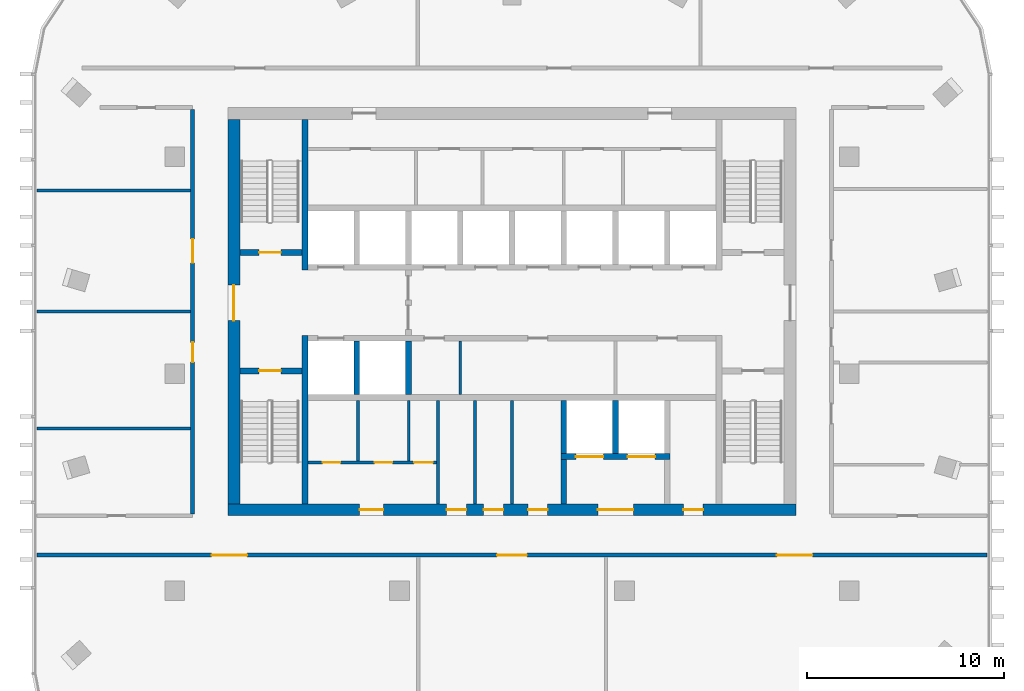
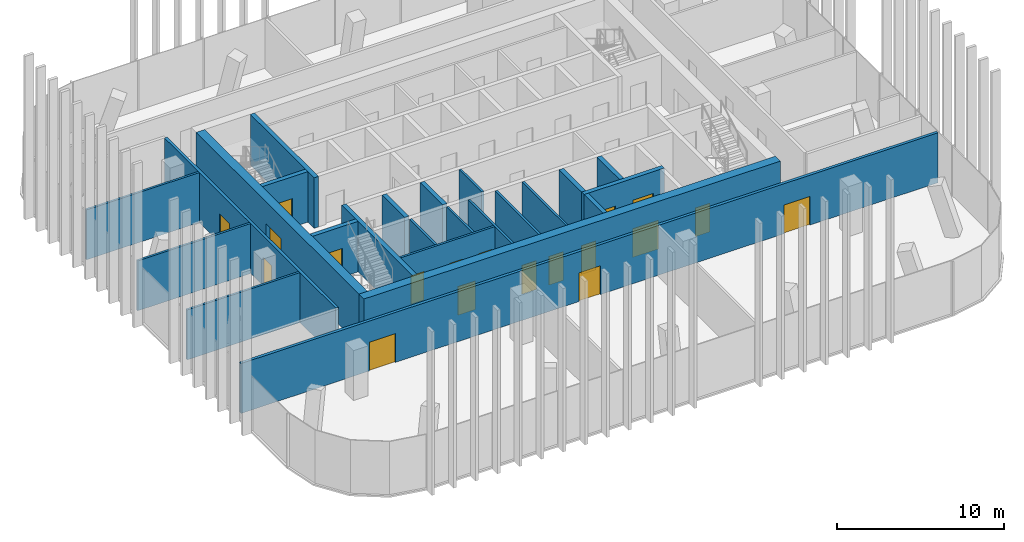
# One storey, part 6 of 13: 24 walls, 19 doors, 19 openings.
"""IFC4 building model written with IfcOpenShell, lengths in metres."""

from ifc_helpers import new_model, si_unit, direction, frame, frame_2d, origin, place, context, subcontext, project, spatial, rectangle, extrude, material, layer, layer_set, type_object, element, fill, save


model = new_model("IFC4")

# Units and contexts
model_context = context("Model", 3, precision=1e-05, world=origin(), true_north=direction((0.0, 1.0)))
body_context = subcontext(model_context, "Body", "Model", "MODEL_VIEW")
ifc_project = project(units=[si_unit("LENGTHUNIT", "METRE"), si_unit("AREAUNIT", "SQUARE_METRE"), si_unit("VOLUMEUNIT", "CUBIC_METRE"), si_unit("PLANEANGLEUNIT", "RADIAN"), si_unit("MASSUNIT", "GRAM", prefix="KILO")], contexts=[model_context])

# Site, building, storey
site_placement = place(None, origin())
site = spatial("IfcSite", under=ifc_project, at=site_placement, CompositionType="ELEMENT")
building_placement = place(site_placement, origin())
building = spatial("IfcBuilding", under=site, at=building_placement, Name="Mopane Tessera Tower", CompositionType="ELEMENT")
storey_placement = place(building_placement, frame((0.0, 0.0, 345.39990234375)))
storey = spatial("IfcBuildingStorey", under=building, at=storey_placement, Name="L75", CompositionType="ELEMENT", Elevation=345.39990234375)

# Wall, openings, doors
ifc_material_1 = material(Name="Fire-rated gypsum board partition")
ifc_layer_1 = layer(ifc_material_1, 0.14990234375)
ifc_layer_set_1 = layer_set([ifc_layer_1], Name="Fire-rated gypsum board partition")
wall_type_1 = type_object("IfcWallType", Name="Core room partition 150 mm", PredefinedType="PARTITIONING", material=ifc_layer_set_1)
wall_1_placement = place(storey_placement, frame((-10.35009765625, -4.5, 0.0), z_axis=(0.0, 0.0, 1.0), x_axis=(1.0, 0.0, 0.0)))
wall_1 = element("IfcWall", 1, at=wall_1_placement, inside=storey, type_object=wall_type_1, Name="L75 WC partition", PredefinedType="PARTITIONING", context=body_context, shape_type="SweptSolid", body=[
    extrude(rectangle(XDim=6.525146484375, YDim=0.14990234375, at=frame_2d((3.2626953125, 0.0))), origin(), (0.0, 0.0, 1.0), 3.7001953125),
])
opening_1_placement = place(wall_1_placement, frame((0.75, 0.0, 0.0)))
opening_1 = element("IfcOpeningElement", 2, at=opening_1_placement, cuts=wall_1, Name="Opening WD1", PredefinedType="OPENING", context=body_context, shape_type="SweptSolid", body=[
    extrude(rectangle(XDim=0.89990234375, YDim=2.10009765625, at=frame_2d((0.449951171875, 1.050048828125))), frame((0.0, 0.0869140625, 0.0), z_axis=(0.0, -1.0, 0.0), x_axis=(1.0, 0.0, 0.0)), (0.0, 0.0, 1.0), 0.173828125),
])
opening_2_placement = place(wall_1_placement, frame((3.382568359375, 0.0, 0.0)))
opening_2 = element("IfcOpeningElement", 3, at=opening_2_placement, cuts=wall_1, Name="Opening WD1", PredefinedType="OPENING", context=body_context, shape_type="SweptSolid", body=[
    extrude(rectangle(XDim=0.89990234375, YDim=2.10009765625, at=frame_2d((0.449951171875, 1.050048828125))), frame((0.0, 0.0869140625, 0.0), z_axis=(0.0, -1.0, 0.0), x_axis=(1.0, 0.0, 0.0)), (0.0, 0.0, 1.0), 0.173828125),
])
opening_3_placement = place(wall_1_placement, frame((5.382568359375, 0.0, 0.0)))
opening_3 = element("IfcOpeningElement", 4, at=opening_3_placement, cuts=wall_1, Name="Opening WD2", PredefinedType="OPENING", context=body_context, shape_type="SweptSolid", body=[
    extrude(rectangle(XDim=0.949951171875, YDim=2.10009765625, at=frame_2d((0.47509765625, 1.050048828125))), frame((0.0, 0.0869140625, 0.0), z_axis=(0.0, -1.0, 0.0), x_axis=(1.0, 0.0, 0.0)), (0.0, 0.0, 1.0), 0.173828125),
])
ifc_material_2 = material(Name="Timber door", Category="wood")
door_type_1 = type_object("IfcDoorType", Name="Accessible WC door 950 x 2100", OperationType="SINGLE_SWING_LEFT", PredefinedType="DOOR", material=ifc_material_2)
door_1_placement = place(opening_3_placement, origin())
door_1 = element("IfcDoor", 5, at=door_1_placement, inside=storey, type_object=door_type_1, Name="L75 Accessible WC door", OperationType="SINGLE_SWING_LEFT", OverallHeight=2.10009765625, OverallWidth=0.949951171875, PredefinedType="DOOR", context=body_context, shape_type="SweptSolid", body=[
    extrude(rectangle(XDim=0.949951171875, YDim=2.10009765625, at=frame_2d((0.47509765625, 1.050048828125))), frame((0.0, 0.02490234375, 0.0), z_axis=(0.0, -1.0, 0.0), x_axis=(1.0, 0.0, 0.0)), (0.0, 0.0, 1.0), 0.050048828125),
])
fill(opening_3, door_1)
ifc_material_3 = material(Name="Timber door", Category="wood")
door_type_2 = type_object("IfcDoorType", Name="WC cubicle door 900 x 2100", OperationType="SINGLE_SWING_LEFT", PredefinedType="DOOR", material=ifc_material_3)
door_2_placement = place(opening_1_placement, origin())
door_2 = element("IfcDoor", 6, at=door_2_placement, inside=storey, type_object=door_type_2, Name="L75 Men's WC door", OperationType="SINGLE_SWING_LEFT", OverallHeight=2.10009765625, OverallWidth=0.89990234375, PredefinedType="DOOR", context=body_context, shape_type="SweptSolid", body=[
    extrude(rectangle(XDim=0.89990234375, YDim=2.10009765625, at=frame_2d((0.449951171875, 1.050048828125))), frame((0.0, 0.02490234375, 0.0), z_axis=(0.0, -1.0, 0.0), x_axis=(1.0, 0.0, 0.0)), (0.0, 0.0, 1.0), 0.050048828125),
])
fill(opening_1, door_2)
door_3_placement = place(opening_2_placement, origin())
door_3 = element("IfcDoor", 7, at=door_3_placement, inside=storey, type_object=door_type_2, Name="L75 Women's WC door", OperationType="SINGLE_SWING_LEFT", OverallHeight=2.10009765625, OverallWidth=0.89990234375, PredefinedType="DOOR", context=body_context, shape_type="SweptSolid", body=[
    extrude(rectangle(XDim=0.89990234375, YDim=2.10009765625, at=frame_2d((0.449951171875, 1.050048828125))), frame((0.0, 0.02490234375, 0.0), z_axis=(0.0, -1.0, 0.0), x_axis=(1.0, 0.0, 0.0)), (0.0, 0.0, 1.0), 0.050048828125),
])
fill(opening_2, door_3)

# Walls
for number, where, z_axis, x_axis, name in (
    (8, (-7.800048828125, -4.425048828125, 0.0), (0.0, 0.0, 1.0), (0.0, 1.0, 0.0), "L75 WC partition"),
    (9, (-5.235107421875, -4.425048828125, 0.0), (0.0, 0.0, 1.0), (0.0, 1.0, 0.0), "L75 WC partition"),
):
    element("IfcWall", number, at=place(storey_placement, frame(where, z_axis=z_axis, x_axis=x_axis)), inside=storey, type_object=wall_type_1, Name=name, PredefinedType="PARTITIONING", context=body_context, shape_type="SweptSolid", body=[
        extrude(rectangle(XDim=3.074951171875, YDim=0.14990234375, at=frame_2d((1.53759765625, 0.0))), origin(), (0.0, 0.0, 1.0), 3.7001953125),
    ])
for number, where, z_axis, x_axis, name in (
    (10, (-3.75, -6.60009765625, 0.0), (0.0, 0.0, 1.0), (0.0, 1.0, 0.0), "L75 Room partition"),
    (11, (-1.875, -6.60009765625, 0.0), (0.0, 0.0, 1.0), (0.0, 1.0, 0.0), "L75 Room partition"),
    (12, (0.0, -6.60009765625, 0.0), (0.0, 0.0, 1.0), (0.0, 1.0, 0.0), "L75 Room partition"),
):
    element("IfcWall", number, at=place(storey_placement, frame(where, z_axis=z_axis, x_axis=x_axis)), inside=storey, type_object=wall_type_1, Name=name, PredefinedType="PARTITIONING", context=body_context, shape_type="SweptSolid", body=[
        extrude(rectangle(XDim=5.25, YDim=0.14990234375, at=frame_2d((2.625, 0.0))), origin(), (0.0, 0.0, 1.0), 3.7001953125),
    ])
wall_2_placement = place(storey_placement, frame((-2.625, -1.050048828125, 0.0), z_axis=(0.0, 0.0, 1.0), x_axis=(0.0, 1.0, 0.0)))
element("IfcWall", 13, at=wall_2_placement, inside=storey, type_object=wall_type_1, Name="L75 Room partition", PredefinedType="PARTITIONING", context=body_context, shape_type="SweptSolid", body=[
    extrude(rectangle(XDim=2.699951171875, YDim=0.14990234375, at=frame_2d((1.35009765625, 0.0))), origin(), (0.0, 0.0, 1.0), 3.7001953125),
])

# Wall, openings, doors
ifc_material_4 = material(Name="Concrete C70/85", Category="concrete")
ifc_layer_2 = layer(ifc_material_4, 0.60009765625)
ifc_layer_set_2 = layer_set([ifc_layer_2], Name="Concrete C70/85")
wall_type_2 = type_object("IfcWallType", Name="Core shear wall 600 mm", PredefinedType="SHEAR", material=ifc_layer_set_2)
wall_3_placement = place(storey_placement, frame((-14.39990234375, -6.89990234375, 0.0), z_axis=(0.0, 0.0, 1.0), x_axis=(1.0, 0.0, 0.0)))
wall_3 = element("IfcWall", 14, at=wall_3_placement, inside=storey, type_object=wall_type_2, Name="L75 Core wall south", PredefinedType="SHEAR", context=body_context, shape_type="SweptSolid", body=[
    extrude(rectangle(XDim=28.7998046875, YDim=0.60009765625, at=frame_2d((14.39990234375, 0.0))), origin(), (0.0, 0.0, 1.0), 3.7001953125),
])
opening_4_placement = place(wall_3_placement, frame((6.675048828125, 0.0, 0.0)))
opening_4 = element("IfcOpeningElement", 15, at=opening_4_placement, cuts=wall_3, Name="Opening WD3", PredefinedType="OPENING", context=body_context, shape_type="SweptSolid", body=[
    extrude(rectangle(XDim=1.199951171875, YDim=2.10009765625, at=frame_2d((0.60009765625, 1.050048828125))), frame((0.0, 0.31201171875, 0.0), z_axis=(0.0, -1.0, 0.0), x_axis=(1.0, 0.0, 0.0)), (0.0, 0.0, 1.0), 0.6240234375),
])
opening_5_placement = place(wall_3_placement, frame((11.08740234375, 0.0, 0.0)))
opening_5 = element("IfcOpeningElement", 16, at=opening_5_placement, cuts=wall_3, Name="Opening RD1", PredefinedType="OPENING", context=body_context, shape_type="SweptSolid", body=[
    extrude(rectangle(XDim=1.0, YDim=2.10009765625, at=frame_2d((0.5, 1.050048828125))), frame((0.0, 0.31201171875, 0.0), z_axis=(0.0, -1.0, 0.0), x_axis=(1.0, 0.0, 0.0)), (0.0, 0.0, 1.0), 0.6240234375),
])
opening_6_placement = place(wall_3_placement, frame((12.96240234375, 0.0, 0.0)))
opening_6 = element("IfcOpeningElement", 17, at=opening_6_placement, cuts=wall_3, Name="Opening RD1", PredefinedType="OPENING", context=body_context, shape_type="SweptSolid", body=[
    extrude(rectangle(XDim=1.0, YDim=2.10009765625, at=frame_2d((0.5, 1.050048828125))), frame((0.0, 0.31201171875, 0.0), z_axis=(0.0, -1.0, 0.0), x_axis=(1.0, 0.0, 0.0)), (0.0, 0.0, 1.0), 0.6240234375),
])
opening_7_placement = place(wall_3_placement, frame((15.21240234375, 0.0, 0.0)))
opening_7 = element("IfcOpeningElement", 18, at=opening_7_placement, cuts=wall_3, Name="Opening RD1", PredefinedType="OPENING", context=body_context, shape_type="SweptSolid", body=[
    extrude(rectangle(XDim=1.0, YDim=2.10009765625, at=frame_2d((0.5, 1.050048828125))), frame((0.0, 0.31201171875, 0.0), z_axis=(0.0, -1.0, 0.0), x_axis=(1.0, 0.0, 0.0)), (0.0, 0.0, 1.0), 0.6240234375),
])
opening_8_placement = place(wall_3_placement, frame((18.75, 0.0, 0.0)))
opening_8 = element("IfcOpeningElement", 19, at=opening_8_placement, cuts=wall_3, Name="Opening SD2", PredefinedType="OPENING", context=body_context, shape_type="SweptSolid", body=[
    extrude(rectangle(XDim=1.800048828125, YDim=2.10009765625, at=frame_2d((0.89990234375, 1.050048828125))), frame((0.0, 0.31201171875, 0.0), z_axis=(0.0, -1.0, 0.0), x_axis=(1.0, 0.0, 0.0)), (0.0, 0.0, 1.0), 0.6240234375),
])
opening_9_placement = place(wall_3_placement, frame((23.08740234375, 0.0, 0.0)))
opening_9 = element("IfcOpeningElement", 20, at=opening_9_placement, cuts=wall_3, Name="Opening RD1", PredefinedType="OPENING", context=body_context, shape_type="SweptSolid", body=[
    extrude(rectangle(XDim=1.0, YDim=2.10009765625, at=frame_2d((0.5, 1.050048828125))), frame((0.0, 0.31201171875, 0.0), z_axis=(0.0, -1.0, 0.0), x_axis=(1.0, 0.0, 0.0)), (0.0, 0.0, 1.0), 0.6240234375),
])
ifc_material_5 = material(Name="Steel fire door", Category="steel")
door_type_3 = type_object("IfcDoorType", Name="Core entrance double door 1800 x 2100", OperationType="DOUBLE_DOOR_SINGLE_SWING", PredefinedType="DOOR", material=ifc_material_5)
door_4_placement = place(opening_8_placement, origin())
door_4 = element("IfcDoor", 21, at=door_4_placement, inside=storey, type_object=door_type_3, Name="L75 Service lobby door", OperationType="DOUBLE_DOOR_SINGLE_SWING", OverallHeight=2.10009765625, OverallWidth=1.800048828125, PredefinedType="DOOR", context=body_context, shape_type="SweptSolid", body=[
    extrude(rectangle(XDim=1.800048828125, YDim=2.10009765625, at=frame_2d((0.89990234375, 1.050048828125))), frame((0.0, 0.02490234375, 0.0), z_axis=(0.0, -1.0, 0.0), x_axis=(1.0, 0.0, 0.0)), (0.0, 0.0, 1.0), 0.050048828125),
])
fill(opening_8, door_4)
ifc_material_6 = material(Name="Timber door", Category="wood")
door_type_4 = type_object("IfcDoorType", Name="Core room door 1000 x 2100", OperationType="SINGLE_SWING_LEFT", PredefinedType="DOOR", material=ifc_material_6)
door_5_placement = place(opening_5_placement, origin())
door_5 = element("IfcDoor", 22, at=door_5_placement, inside=storey, type_object=door_type_4, Name="L75 Room door", OperationType="SINGLE_SWING_LEFT", OverallHeight=2.10009765625, OverallWidth=1.0, PredefinedType="DOOR", context=body_context, shape_type="SweptSolid", body=[
    extrude(rectangle(XDim=1.0, YDim=2.10009765625, at=frame_2d((0.5, 1.050048828125))), frame((0.0, 0.02490234375, 0.0), z_axis=(0.0, -1.0, 0.0), x_axis=(1.0, 0.0, 0.0)), (0.0, 0.0, 1.0), 0.050048828125),
])
fill(opening_5, door_5)
door_6_placement = place(opening_6_placement, origin())
door_6 = element("IfcDoor", 23, at=door_6_placement, inside=storey, type_object=door_type_4, Name="L75 Room door", OperationType="SINGLE_SWING_LEFT", OverallHeight=2.10009765625, OverallWidth=1.0, PredefinedType="DOOR", context=body_context, shape_type="SweptSolid", body=[
    extrude(rectangle(XDim=1.0, YDim=2.10009765625, at=frame_2d((0.5, 1.050048828125))), frame((0.0, 0.02490234375, 0.0), z_axis=(0.0, -1.0, 0.0), x_axis=(1.0, 0.0, 0.0)), (0.0, 0.0, 1.0), 0.050048828125),
])
fill(opening_6, door_6)
door_7_placement = place(opening_7_placement, origin())
door_7 = element("IfcDoor", 24, at=door_7_placement, inside=storey, type_object=door_type_4, Name="L75 Room door", OperationType="SINGLE_SWING_LEFT", OverallHeight=2.10009765625, OverallWidth=1.0, PredefinedType="DOOR", context=body_context, shape_type="SweptSolid", body=[
    extrude(rectangle(XDim=1.0, YDim=2.10009765625, at=frame_2d((0.5, 1.050048828125))), frame((0.0, 0.02490234375, 0.0), z_axis=(0.0, -1.0, 0.0), x_axis=(1.0, 0.0, 0.0)), (0.0, 0.0, 1.0), 0.050048828125),
])
fill(opening_7, door_7)
door_8_placement = place(opening_9_placement, origin())
door_8 = element("IfcDoor", 25, at=door_8_placement, inside=storey, type_object=door_type_4, Name="L75 Room door", OperationType="SINGLE_SWING_LEFT", OverallHeight=2.10009765625, OverallWidth=1.0, PredefinedType="DOOR", context=body_context, shape_type="SweptSolid", body=[
    extrude(rectangle(XDim=1.0, YDim=2.10009765625, at=frame_2d((0.5, 1.050048828125))), frame((0.0, 0.02490234375, 0.0), z_axis=(0.0, -1.0, 0.0), x_axis=(1.0, 0.0, 0.0)), (0.0, 0.0, 1.0), 0.050048828125),
])
fill(opening_9, door_8)
ifc_material_7 = material(Name="Timber door", Category="wood")
door_type_5 = type_object("IfcDoorType", Name="WC lobby door 1200 x 2100", OperationType="SINGLE_SWING_LEFT", PredefinedType="DOOR", material=ifc_material_7)
door_9_placement = place(opening_4_placement, origin())
door_9 = element("IfcDoor", 26, at=door_9_placement, inside=storey, type_object=door_type_5, Name="L75 WC lobby door", OperationType="SINGLE_SWING_LEFT", OverallHeight=2.10009765625, OverallWidth=1.199951171875, PredefinedType="DOOR", context=body_context, shape_type="SweptSolid", body=[
    extrude(rectangle(XDim=1.199951171875, YDim=2.10009765625, at=frame_2d((0.60009765625, 1.050048828125))), frame((0.0, 0.02490234375, 0.0), z_axis=(0.0, -1.0, 0.0), x_axis=(1.0, 0.0, 0.0)), (0.0, 0.0, 1.0), 0.050048828125),
])
fill(opening_4, door_9)

# Wall, opening, door
wall_4_placement = place(storey_placement, frame((-14.10009765625, -6.60009765625, 0.0), z_axis=(0.0, 0.0, 1.0), x_axis=(0.0, 1.0, 0.0)))
wall_4 = element("IfcWall", 27, at=wall_4_placement, inside=storey, type_object=wall_type_2, Name="L75 Core wall west", PredefinedType="SHEAR", context=body_context, shape_type="SweptSolid", body=[
    extrude(rectangle(XDim=19.5, YDim=0.60009765625, at=frame_2d((9.75, 0.0))), origin(), (0.0, 0.0, 1.0), 3.7001953125),
])
opening_10_placement = place(wall_4_placement, frame((9.300048828125, 0.0, 0.0)))
opening_10 = element("IfcOpeningElement", 28, at=opening_10_placement, cuts=wall_4, Name="Opening SD2", PredefinedType="OPENING", context=body_context, shape_type="SweptSolid", body=[
    extrude(rectangle(XDim=1.800048828125, YDim=2.10009765625, at=frame_2d((0.89990234375, 1.050048828125))), frame((0.0, 0.31201171875, 0.0), z_axis=(0.0, -1.0, 0.0), x_axis=(1.0, 0.0, 0.0)), (0.0, 0.0, 1.0), 0.6240234375),
])
door_10_placement = place(opening_10_placement, origin())
door_10 = element("IfcDoor", 29, at=door_10_placement, inside=storey, type_object=door_type_3, Name="L75 Core entrance door west", OperationType="DOUBLE_DOOR_SINGLE_SWING", OverallHeight=2.10009765625, OverallWidth=1.800048828125, PredefinedType="DOOR", context=body_context, shape_type="SweptSolid", body=[
    extrude(rectangle(XDim=1.800048828125, YDim=2.10009765625, at=frame_2d((0.89990234375, 1.050048828125))), frame((0.0, 0.02490234375, 0.0), z_axis=(0.0, -1.0, 0.0), x_axis=(1.0, 0.0, 0.0)), (0.0, 0.0, 1.0), 0.050048828125),
])
fill(opening_10, door_10)

# Walls
ifc_material_8 = material(Name="Concrete C60/75", Category="concrete")
ifc_layer_3 = layer(ifc_material_8, 0.300048828125)
ifc_layer_set_3 = layer_set([ifc_layer_3], Name="Concrete C60/75")
wall_type_3 = type_object("IfcWallType", Name="Core spine wall 300 mm", PredefinedType="SHEAR", material=ifc_layer_set_3)
wall_5_placement = place(storey_placement, frame((-10.5, -6.60009765625, 0.0), z_axis=(0.0, 0.0, 1.0), x_axis=(0.0, 1.0, 0.0)))
element("IfcWall", 30, at=wall_5_placement, inside=storey, type_object=wall_type_3, Name="L75 Core spine wall", PredefinedType="SHEAR", context=body_context, shape_type="SweptSolid", body=[
    extrude(rectangle(XDim=8.550048828125, YDim=0.300048828125, at=frame_2d((4.27490234375, 0.0))), origin(), (0.0, 0.0, 1.0), 3.7001953125),
])
wall_6_placement = place(storey_placement, frame((-10.5, 5.25, 0.0), z_axis=(0.0, 0.0, 1.0), x_axis=(0.0, 1.0, 0.0)))
element("IfcWall", 31, at=wall_6_placement, inside=storey, type_object=wall_type_3, Name="L75 Core spine wall", PredefinedType="SHEAR", context=body_context, shape_type="SweptSolid", body=[
    extrude(rectangle(XDim=7.64990234375, YDim=0.300048828125, at=frame_2d((3.824951171875, 0.0))), origin(), (0.0, 0.0, 1.0), 3.7001953125),
])

# Wall, openings, doors
ifc_material_9 = material(Name="Gypsum board on steel studs, two layers each face, mineral wool infill", Category="steel")
ifc_layer_4 = layer(ifc_material_9, 0.199951171875)
ifc_layer_set_4 = layer_set([ifc_layer_4], Name="Gypsum board on steel studs, two layers each face, mineral wool infill")
wall_type_4 = type_object("IfcWallType", Name="Gypsum board corridor wall 200, rated EI 60", PredefinedType="PARTITIONING", material=ifc_layer_set_4)
wall_7_placement = place(storey_placement, frame((-24.10009765625, -9.199951171875, 0.0), z_axis=(0.0, 0.0, 1.0), x_axis=(1.0, 0.0, 0.0)))
wall_7 = element("IfcWall", 32, at=wall_7_placement, inside=storey, type_object=wall_type_4, Name="Partition L75:000", PredefinedType="PARTITIONING", context=body_context, shape_type="SweptSolid", body=[
    extrude(rectangle(XDim=48.2001953125, YDim=0.199951171875, at=frame_2d((24.10009765625, 0.0))), origin(), (0.0, 0.0, 1.0), 3.650146484375),
])
opening_11_placement = place(wall_7_placement, frame((37.532470703125, 0.0, 0.0)))
opening_11 = element("IfcOpeningElement", 33, at=opening_11_placement, cuts=wall_7, Name="Opening L75-10", PredefinedType="OPENING", context=body_context, shape_type="SweptSolid", body=[
    extrude(rectangle(XDim=1.800048828125, YDim=2.10009765625, at=frame_2d((0.89990234375, 1.050048828125))), frame((0.0, 0.112060546875, 0.0), z_axis=(0.0, -1.0, 0.0), x_axis=(1.0, 0.0, 0.0)), (0.0, 0.0, 1.0), 0.223876953125),
])
opening_12_placement = place(wall_7_placement, frame((23.35009765625, 0.0, 0.0)))
opening_12 = element("IfcOpeningElement", 34, at=opening_12_placement, cuts=wall_7, Name="Opening L75-12", PredefinedType="OPENING", context=body_context, shape_type="SweptSolid", body=[
    extrude(rectangle(XDim=1.5, YDim=2.10009765625, at=frame_2d((0.75, 1.050048828125))), frame((0.0, 0.112060546875, 0.0), z_axis=(0.0, -1.0, 0.0), x_axis=(1.0, 0.0, 0.0)), (0.0, 0.0, 1.0), 0.223876953125),
])
opening_13_placement = place(wall_7_placement, frame((8.867431640625, 0.0, 0.0)))
opening_13 = element("IfcOpeningElement", 35, at=opening_13_placement, cuts=wall_7, Name="Opening L75-13", PredefinedType="OPENING", context=body_context, shape_type="SweptSolid", body=[
    extrude(rectangle(XDim=1.800048828125, YDim=2.10009765625, at=frame_2d((0.89990234375, 1.050048828125))), frame((0.0, 0.112060546875, 0.0), z_axis=(0.0, -1.0, 0.0), x_axis=(1.0, 0.0, 0.0)), (0.0, 0.0, 1.0), 0.223876953125),
])
ifc_material_10 = material(Name="Timber veneered steel-framed fire door", Category="steel")
door_type_6 = type_object("IfcDoorType", Name="Fire door pair FD60 1500 x 2100", OperationType="DOUBLE_DOOR_SINGLE_SWING", PredefinedType="DOOR", material=ifc_material_10)
door_11_placement = place(opening_12_placement, origin())
door_11 = element("IfcDoor", 36, at=door_11_placement, inside=storey, type_object=door_type_6, Name="Door L75-12", ObjectType="D17A", OperationType="DOUBLE_DOOR_SINGLE_SWING", OverallHeight=2.10009765625, OverallWidth=1.5, PredefinedType="DOOR", context=body_context, shape_type="SweptSolid", body=[
    extrude(rectangle(XDim=1.5, YDim=2.10009765625, at=frame_2d((0.75, 1.050048828125))), frame((0.0, 0.02490234375, 0.0), z_axis=(0.0, -1.0, 0.0), x_axis=(1.0, 0.0, 0.0)), (0.0, 0.0, 1.0), 0.050048828125),
])
fill(opening_12, door_11)
ifc_material_11 = material(Name="Timber veneered steel-framed fire door", Category="steel")
door_type_7 = type_object("IfcDoorType", Name="Fire door pair FD60 1800 x 2100", OperationType="DOUBLE_DOOR_SINGLE_SWING", PredefinedType="DOOR", material=ifc_material_11)
door_12_placement = place(opening_11_placement, origin())
door_12 = element("IfcDoor", 37, at=door_12_placement, inside=storey, type_object=door_type_7, Name="Door L75-10", ObjectType="D20A", OperationType="DOUBLE_DOOR_SINGLE_SWING", OverallHeight=2.10009765625, OverallWidth=1.800048828125, PredefinedType="DOOR", context=body_context, shape_type="SweptSolid", body=[
    extrude(rectangle(XDim=1.800048828125, YDim=2.10009765625, at=frame_2d((0.89990234375, 1.050048828125))), frame((0.0, 0.02490234375, 0.0), z_axis=(0.0, -1.0, 0.0), x_axis=(1.0, 0.0, 0.0)), (0.0, 0.0, 1.0), 0.050048828125),
])
fill(opening_11, door_12)
door_13_placement = place(opening_13_placement, origin())
door_13 = element("IfcDoor", 38, at=door_13_placement, inside=storey, type_object=door_type_7, Name="Door L75-13", ObjectType="D20A", OperationType="DOUBLE_DOOR_SINGLE_SWING", OverallHeight=2.10009765625, OverallWidth=1.800048828125, PredefinedType="DOOR", context=body_context, shape_type="SweptSolid", body=[
    extrude(rectangle(XDim=1.800048828125, YDim=2.10009765625, at=frame_2d((0.89990234375, 1.050048828125))), frame((0.0, 0.02490234375, 0.0), z_axis=(0.0, -1.0, 0.0), x_axis=(1.0, 0.0, 0.0)), (0.0, 0.0, 1.0), 0.050048828125),
])
fill(opening_13, door_13)

wall_8_placement = place(storey_placement, frame((-16.199951171875, -7.10009765625, 0.0), z_axis=(0.0, 0.0, 1.0), x_axis=(0.0, 1.0, 0.0)))
wall_8 = element("IfcWall", 39, at=wall_8_placement, inside=storey, type_object=wall_type_4, Name="Partition L75:015", PredefinedType="PARTITIONING", context=body_context, shape_type="SweptSolid", body=[
    extrude(rectangle(XDim=20.5, YDim=0.199951171875, at=frame_2d((10.25, 0.0))), origin(), (0.0, 0.0, 1.0), 3.650146484375),
])
opening_14_placement = place(wall_8_placement, frame((12.722412109375, 0.0, 0.0)))
opening_14 = element("IfcOpeningElement", 40, at=opening_14_placement, cuts=wall_8, Name="Opening L75-01", PredefinedType="OPENING", context=body_context, shape_type="SweptSolid", body=[
    extrude(rectangle(XDim=1.199951171875, YDim=2.10009765625, at=frame_2d((0.60009765625, 1.050048828125))), frame((0.0, 0.112060546875, 0.0), z_axis=(0.0, -1.0, 0.0), x_axis=(1.0, 0.0, 0.0)), (0.0, 0.0, 1.0), 0.223876953125),
])
opening_15_placement = place(wall_8_placement, frame((7.6923828125, 0.0, 0.0)))
opening_15 = element("IfcOpeningElement", 41, at=opening_15_placement, cuts=wall_8, Name="Opening L75-07", PredefinedType="OPENING", context=body_context, shape_type="SweptSolid", body=[
    extrude(rectangle(XDim=1.0, YDim=2.10009765625, at=frame_2d((0.5, 1.050048828125))), frame((0.0, 0.112060546875, 0.0), z_axis=(0.0, -1.0, 0.0), x_axis=(1.0, 0.0, 0.0)), (0.0, 0.0, 1.0), 0.223876953125),
])
ifc_material_12 = material(Name="Timber veneered steel-framed fire door", Category="steel")
door_type_8 = type_object("IfcDoorType", Name="Fire door FD60 1000 x 2100", OperationType="SINGLE_SWING_LEFT", PredefinedType="DOOR", material=ifc_material_12)
door_14_placement = place(opening_15_placement, origin())
door_14 = element("IfcDoor", 42, at=door_14_placement, inside=storey, type_object=door_type_8, Name="Door L75-07", ObjectType="D12A", OperationType="SINGLE_SWING_RIGHT", OverallHeight=2.10009765625, OverallWidth=1.0, PredefinedType="DOOR", context=body_context, shape_type="SweptSolid", body=[
    extrude(rectangle(XDim=1.0, YDim=2.10009765625, at=frame_2d((0.5, 1.050048828125))), frame((0.0, 0.02490234375, 0.0), z_axis=(0.0, -1.0, 0.0), x_axis=(1.0, 0.0, 0.0)), (0.0, 0.0, 1.0), 0.050048828125),
])
fill(opening_15, door_14)
ifc_material_13 = material(Name="Timber veneered steel-framed fire door", Category="steel")
door_type_9 = type_object("IfcDoorType", Name="Fire door FD60 1200 x 2100", OperationType="SINGLE_SWING_LEFT", PredefinedType="DOOR", material=ifc_material_13)
door_15_placement = place(opening_14_placement, origin())
door_15 = element("IfcDoor", 43, at=door_15_placement, inside=storey, type_object=door_type_9, Name="Door L75-01", ObjectType="D15A", OperationType="SINGLE_SWING_RIGHT", OverallHeight=2.10009765625, OverallWidth=1.199951171875, PredefinedType="DOOR", context=body_context, shape_type="SweptSolid", body=[
    extrude(rectangle(XDim=1.199951171875, YDim=2.10009765625, at=frame_2d((0.60009765625, 1.050048828125))), frame((0.0, 0.02490234375, 0.0), z_axis=(0.0, -1.0, 0.0), x_axis=(1.0, 0.0, 0.0)), (0.0, 0.0, 1.0), 0.050048828125),
])
fill(opening_14, door_15)

# Walls
ifc_material_14 = material(Name="Gypsum board on steel studs, mineral wool infill", Category="steel")
ifc_layer_5 = layer(ifc_material_14, 0.14990234375)
ifc_layer_set_5 = layer_set([ifc_layer_5], Name="Gypsum board on steel studs, mineral wool infill")
wall_type_5 = type_object("IfcWallType", Name="Gypsum board partition 150, rated EI 60", PredefinedType="PARTITIONING", material=ifc_layer_set_5)
for number, where, z_axis, x_axis, name in (
    (44, (-24.10009765625, -2.764892578125, 0.0), (0.0, 0.0, 1.0), (1.0, 0.0, 0.0), "Partition L75:005"),
    (45, (-24.10009765625, 3.14990234375, 0.0), (0.0, 0.0, 1.0), (1.0, 0.0, 0.0), "Partition L75:008"),
    (46, (-24.10009765625, 9.294921875, 0.0), (0.0, 0.0, 1.0), (1.0, 0.0, 0.0), "Partition L75:010"),
):
    element("IfcWall", number, at=place(storey_placement, frame(where, z_axis=z_axis, x_axis=x_axis)), inside=storey, type_object=wall_type_5, Name=name, PredefinedType="PARTITIONING", context=body_context, shape_type="SweptSolid", body=[
        extrude(rectangle(XDim=7.800048828125, YDim=0.14990234375, at=frame_2d((3.89990234375, 0.0))), origin(), (0.0, 0.0, 1.0), 3.650146484375),
    ])

# Wall, opening, door
ifc_material_15 = material(Name="Concrete C50/60", Category="concrete")
ifc_layer_6 = layer(ifc_material_15, 0.300048828125)
ifc_layer_set_6 = layer_set([ifc_layer_6], Name="Concrete C50/60")
wall_type_6 = type_object("IfcWallType", Name="Lift and stair shaft wall 300 mm", PredefinedType="SOLIDWALL", material=ifc_layer_set_6)
wall_9_placement = place(storey_placement, frame((-13.800048828125, 0.14990234375, 0.0), z_axis=(0.0, 0.0, 1.0), x_axis=(1.0, 0.0, 0.0)))
wall_9 = element("IfcWall", 47, at=wall_9_placement, inside=storey, type_object=wall_type_6, Name="L75 Stair enclosure wall", PredefinedType="SOLIDWALL", context=body_context, shape_type="SweptSolid", body=[
    extrude(rectangle(XDim=3.150146484375, YDim=0.300048828125, at=frame_2d((1.5751953125, 0.0))), origin(), (0.0, 0.0, 1.0), 3.7001953125),
])
opening_16_placement = place(wall_9_placement, frame((0.97509765625, 0.0, 0.0)))
opening_16 = element("IfcOpeningElement", 48, at=opening_16_placement, cuts=wall_9, Name="Opening SD1", PredefinedType="OPENING", context=body_context, shape_type="SweptSolid", body=[
    extrude(rectangle(XDim=1.10009765625, YDim=2.10009765625, at=frame_2d((0.550048828125, 1.050048828125))), frame((0.0, 0.162109375, 0.0), z_axis=(0.0, -1.0, 0.0), x_axis=(1.0, 0.0, 0.0)), (0.0, 0.0, 1.0), 0.323974609375),
])
ifc_material_16 = material(Name="Steel fire door", Category="steel")
door_type_10 = type_object("IfcDoorType", Name="Stair fire door 1100 x 2100", OperationType="SINGLE_SWING_LEFT", PredefinedType="DOOR", material=ifc_material_16)
door_16_placement = place(opening_16_placement, origin())
door_16 = element("IfcDoor", 49, at=door_16_placement, inside=storey, type_object=door_type_10, Name="L75 Stair door ST1", OperationType="SINGLE_SWING_LEFT", OverallHeight=2.10009765625, OverallWidth=1.10009765625, PredefinedType="DOOR", context=body_context, shape_type="SweptSolid", body=[
    extrude(rectangle(XDim=1.10009765625, YDim=2.10009765625, at=frame_2d((0.550048828125, 1.050048828125))), frame((0.0, 0.02490234375, 0.0), z_axis=(0.0, -1.0, 0.0), x_axis=(1.0, 0.0, 0.0)), (0.0, 0.0, 1.0), 0.050048828125),
])
fill(opening_16, door_16)

wall_10_placement = place(storey_placement, frame((-13.800048828125, 6.14990234375, 0.0), z_axis=(0.0, 0.0, 1.0), x_axis=(1.0, 0.0, 0.0)))
wall_10 = element("IfcWall", 50, at=wall_10_placement, inside=storey, type_object=wall_type_6, Name="L75 Stair enclosure wall", PredefinedType="SOLIDWALL", context=body_context, shape_type="SweptSolid", body=[
    extrude(rectangle(XDim=3.150146484375, YDim=0.300048828125, at=frame_2d((1.5751953125, 0.0))), origin(), (0.0, 0.0, 1.0), 3.7001953125),
])
opening_17_placement = place(wall_10_placement, frame((0.97509765625, 0.0, 0.0)))
opening_17 = element("IfcOpeningElement", 51, at=opening_17_placement, cuts=wall_10, Name="Opening SD1", PredefinedType="OPENING", context=body_context, shape_type="SweptSolid", body=[
    extrude(rectangle(XDim=1.10009765625, YDim=2.10009765625, at=frame_2d((0.550048828125, 1.050048828125))), frame((0.0, 0.162109375, 0.0), z_axis=(0.0, -1.0, 0.0), x_axis=(1.0, 0.0, 0.0)), (0.0, 0.0, 1.0), 0.323974609375),
])
door_17_placement = place(opening_17_placement, origin())
door_17 = element("IfcDoor", 52, at=door_17_placement, inside=storey, type_object=door_type_10, Name="L75 Stair door ST2", OperationType="SINGLE_SWING_LEFT", OverallHeight=2.10009765625, OverallWidth=1.10009765625, PredefinedType="DOOR", context=body_context, shape_type="SweptSolid", body=[
    extrude(rectangle(XDim=1.10009765625, YDim=2.10009765625, at=frame_2d((0.550048828125, 1.050048828125))), frame((0.0, 0.02490234375, 0.0), z_axis=(0.0, -1.0, 0.0), x_axis=(1.0, 0.0, 0.0)), (0.0, 0.0, 1.0), 0.050048828125),
])
fill(opening_17, door_17)

# Walls
for number, where, z_axis, x_axis, name in (
    (53, (-7.875, -1.050048828125, 0.0), (0.0, 0.0, 1.0), (0.0, 1.0, 0.0), "L75 Lift shaft wall"),
    (54, (-5.25, -1.050048828125, 0.0), (0.0, 0.0, 1.0), (0.0, 1.0, 0.0), "L75 Lift shaft wall"),
):
    element("IfcWall", number, at=place(storey_placement, frame(where, z_axis=z_axis, x_axis=x_axis)), inside=storey, type_object=wall_type_6, Name=name, PredefinedType="SOLIDWALL", context=body_context, shape_type="SweptSolid", body=[
        extrude(rectangle(XDim=2.699951171875, YDim=0.300048828125, at=frame_2d((1.35009765625, 0.0))), origin(), (0.0, 0.0, 1.0), 3.7001953125),
    ])

# Wall, openings, doors
wall_11_placement = place(storey_placement, frame((2.47509765625, -4.199951171875, 0.0), z_axis=(0.0, 0.0, 1.0), x_axis=(1.0, 0.0, 0.0)))
wall_11 = element("IfcWall", 55, at=wall_11_placement, inside=storey, type_object=wall_type_6, Name="L75 Lift shaft front wall", PredefinedType="SOLIDWALL", context=body_context, shape_type="SweptSolid", body=[
    extrude(rectangle(XDim=5.5498046875, YDim=0.300048828125, at=frame_2d((2.77490234375, 0.0))), origin(), (0.0, 0.0, 1.0), 3.7001953125),
])
opening_18_placement = place(wall_11_placement, frame((0.762451171875, 0.0, 0.0)))
opening_18 = element("IfcOpeningElement", 56, at=opening_18_placement, cuts=wall_11, Name="Opening LD3", PredefinedType="OPENING", context=body_context, shape_type="SweptSolid", body=[
    extrude(rectangle(XDim=1.39990234375, YDim=2.10009765625, at=frame_2d((0.699951171875, 1.050048828125))), frame((0.0, 0.162109375, 0.0), z_axis=(0.0, -1.0, 0.0), x_axis=(1.0, 0.0, 0.0)), (0.0, 0.0, 1.0), 0.323974609375),
])
opening_19_placement = place(wall_11_placement, frame((3.387451171875, 0.0, 0.0)))
opening_19 = element("IfcOpeningElement", 57, at=opening_19_placement, cuts=wall_11, Name="Opening LD3", PredefinedType="OPENING", context=body_context, shape_type="SweptSolid", body=[
    extrude(rectangle(XDim=1.39990234375, YDim=2.10009765625, at=frame_2d((0.699951171875, 1.050048828125))), frame((0.0, 0.162109375, 0.0), z_axis=(0.0, -1.0, 0.0), x_axis=(1.0, 0.0, 0.0)), (0.0, 0.0, 1.0), 0.323974609375),
])
ifc_material_17 = material(Name="Stainless steel sliding door", Category="steel")
door_type_11 = type_object("IfcDoorType", Name="Service lift landing door 1400 x 2100", OperationType="DOUBLE_DOOR_SLIDING", PredefinedType="DOOR", material=ifc_material_17)
door_18_placement = place(opening_18_placement, origin())
door_18 = element("IfcDoor", 58, at=door_18_placement, inside=storey, type_object=door_type_11, Name="L75 Lift landing door SV1", OperationType="DOUBLE_DOOR_SLIDING", OverallHeight=2.10009765625, OverallWidth=1.39990234375, PredefinedType="DOOR", context=body_context, shape_type="SweptSolid", body=[
    extrude(rectangle(XDim=1.39990234375, YDim=2.10009765625, at=frame_2d((0.699951171875, 1.050048828125))), frame((0.0, 0.02490234375, 0.0), z_axis=(0.0, -1.0, 0.0), x_axis=(1.0, 0.0, 0.0)), (0.0, 0.0, 1.0), 0.050048828125),
])
fill(opening_18, door_18)
door_19_placement = place(opening_19_placement, origin())
door_19 = element("IfcDoor", 59, at=door_19_placement, inside=storey, type_object=door_type_11, Name="L75 Lift landing door SV2", OperationType="DOUBLE_DOOR_SLIDING", OverallHeight=2.10009765625, OverallWidth=1.39990234375, PredefinedType="DOOR", context=body_context, shape_type="SweptSolid", body=[
    extrude(rectangle(XDim=1.39990234375, YDim=2.10009765625, at=frame_2d((0.699951171875, 1.050048828125))), frame((0.0, 0.02490234375, 0.0), z_axis=(0.0, -1.0, 0.0), x_axis=(1.0, 0.0, 0.0)), (0.0, 0.0, 1.0), 0.050048828125),
])
fill(opening_19, door_19)

# Walls
for number, where, z_axis, x_axis, name in (
    (60, (2.625, -4.050048828125, 0.0), (0.0, 0.0, 1.0), (0.0, 1.0, 0.0), "L75 Lift shaft wall"),
    (61, (5.25, -4.050048828125, 0.0), (0.0, 0.0, 1.0), (0.0, 1.0, 0.0), "L75 Lift shaft wall"),
):
    element("IfcWall", number, at=place(storey_placement, frame(where, z_axis=z_axis, x_axis=x_axis)), inside=storey, type_object=wall_type_6, Name=name, PredefinedType="SOLIDWALL", context=body_context, shape_type="SweptSolid", body=[
        extrude(rectangle(XDim=2.699951171875, YDim=0.300048828125, at=frame_2d((1.35009765625, 0.0))), origin(), (0.0, 0.0, 1.0), 3.7001953125),
    ])
ifc_material_18 = material(Name="Concrete C50/60", Category="concrete")
ifc_layer_7 = layer(ifc_material_18, 0.300048828125)
ifc_layer_set_7 = layer_set([ifc_layer_7], Name="Concrete C50/60")
wall_type_7 = type_object("IfcWallType", Name="Lobby and refuge room wall 300 mm", PredefinedType="SOLIDWALL", material=ifc_layer_set_7)
wall_12_placement = place(storey_placement, frame((2.625, -6.60009765625, 0.0), z_axis=(0.0, 0.0, 1.0), x_axis=(0.0, 1.0, 0.0)))
element("IfcWall", 62, at=wall_12_placement, inside=storey, type_object=wall_type_7, Name="L75 Service lobby wall", PredefinedType="SOLIDWALL", context=body_context, shape_type="SweptSolid", body=[
    extrude(rectangle(XDim=2.25, YDim=0.300048828125, at=frame_2d((1.125, 0.0))), origin(), (0.0, 0.0, 1.0), 3.7001953125),
])

save(model, "model.ifc")
